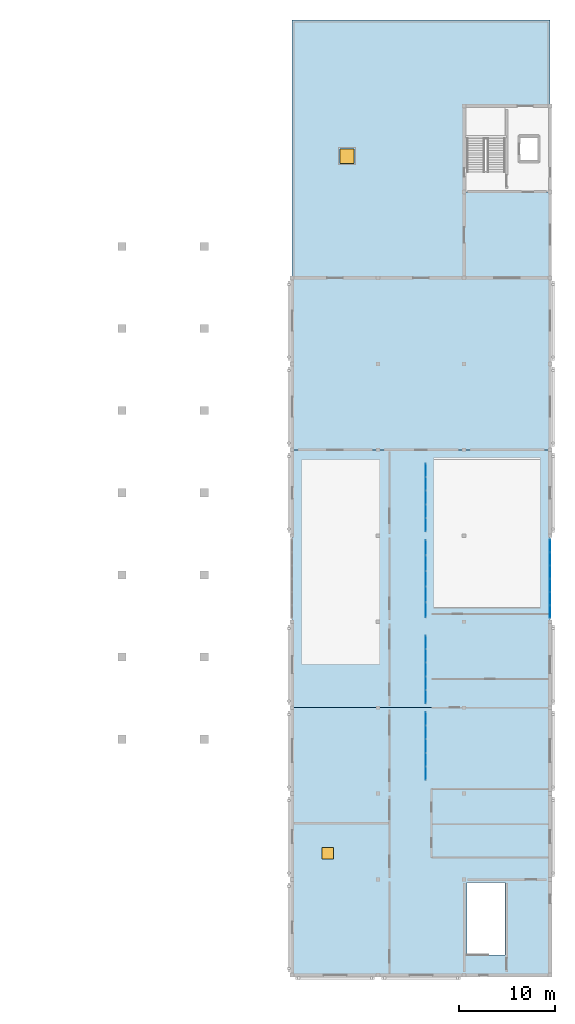
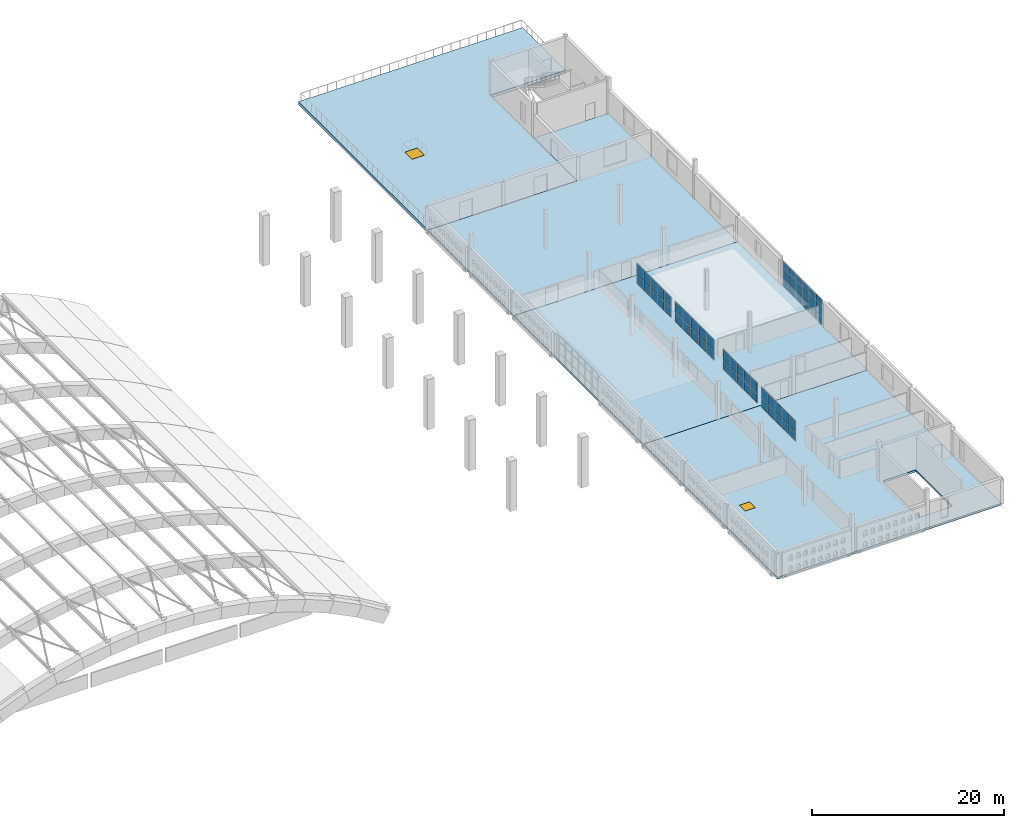
# One storey, part 17 of 30: 58 plates, 4 slabs, 2 windows, 2 openings, 5 elements without a shape of their own.
"""IFC4 building model written with IfcOpenShell, lengths in metres."""

from ifc_helpers import new_model, si_unit, direction, frame, origin, origin_2d, place, context, subcontext, project, spatial, polyline, rectangle, outline, extrude, material, layer, layer_set, type_object, element, fill, aggregate, save


model = new_model("IFC4")

# Units and contexts
model_context = context("Model", 3, precision=1e-05, world=origin(), true_north=direction((0.0, 1.0)))
body_context = subcontext(model_context, "Body", "Model", "MODEL_VIEW")
ifc_project = project(units=[si_unit("LENGTHUNIT", "METRE"), si_unit("AREAUNIT", "SQUARE_METRE"), si_unit("VOLUMEUNIT", "CUBIC_METRE"), si_unit("PLANEANGLEUNIT", "RADIAN"), si_unit("MASSUNIT", "GRAM", prefix="KILO")], contexts=[model_context])

# Site, building, storey
site_placement = place(None, origin())
site = spatial("IfcSite", under=ifc_project, at=site_placement, CompositionType="ELEMENT")
building_placement = place(site_placement, origin())
building = spatial("IfcBuilding", under=site, at=building_placement, Name="Ornek Quay Market", CompositionType="ELEMENT")
storey_placement = place(building_placement, frame((0.0, 0.0, 12.0)))
storey = spatial("IfcBuildingStorey", under=building, at=storey_placement, Name="L03", CompositionType="ELEMENT", Elevation=12.0)

# Curtain wall, plates
ifc_material_1 = material(Name="Anodised bronze aluminium and triple low-e glass", Category="aluminium")
ifc_layer_1 = layer(ifc_material_1, 0.139892578125, Name="Anodised bronze aluminium and triple low-e glass", Category="aluminium")
ifc_layer_set_1 = layer_set([ifc_layer_1], Name="Anodised bronze aluminium and triple low-e glass")
curtain_wall_type_1 = type_object("IfcCurtainWallType", Name="CW-GALLERY-INT", PredefinedType="USERDEFINED", material=ifc_layer_set_1)
curtain_wall_1_placement = place(storey_placement, origin())
curtain_wall_1 = element("IfcCurtainWall", 1, at=curtain_wall_1_placement, inside=storey, type_object=curtain_wall_type_1, Name="Curtain wall CW-171", ObjectType="CURTAIN WALL", PredefinedType="USERDEFINED")
ifc_material_2 = material(Name="Toughened laminated acoustic glass", Category="glass")
ifc_layer_2 = layer(ifc_material_2, 0.01611328125, Name="Toughened laminated acoustic glass", Category="glass")
ifc_layer_set_2 = layer_set([ifc_layer_2], Name="Toughened laminated acoustic glass")
plate_type_1 = type_object("IfcPlateType", Name="PL-CW-INT-16", PredefinedType="CURTAIN_PANEL", material=ifc_layer_set_2)
plate_1_placement = place(storey_placement, frame((167.0, 31.135009765625, 0.06005859375), z_axis=(0.0, 0.0, 1.0), x_axis=(0.0, 1.0, 0.0)))
plate_1 = element("IfcPlate", 2, at=plate_1_placement, type_object=plate_type_1, Name="CW-171 panel 1.1", PredefinedType="CURTAIN_PANEL", context=body_context, shape_type="SweptSolid", body=[
    extrude(rectangle(XDim=1.35009765625, YDim=0.01611328125, at=origin_2d()), origin(), (0.0, 0.0, 1.0), 1.125),
])
plate_2_placement = place(storey_placement, frame((167.0, 31.135009765625, 1.244873046875), z_axis=(0.0, 0.0, 1.0), x_axis=(0.0, 1.0, 0.0)))
plate_2 = element("IfcPlate", 3, at=plate_2_placement, type_object=plate_type_1, Name="CW-171 panel 1.2", PredefinedType="CURTAIN_PANEL", context=body_context, shape_type="SweptSolid", body=[
    extrude(rectangle(XDim=1.35009765625, YDim=0.01611328125, at=origin_2d()), origin(), (0.0, 0.0, 1.0), 1.39501953125),
])
plate_3_placement = place(storey_placement, frame((167.0, 32.56005859375, 0.06005859375), z_axis=(0.0, 0.0, 1.0), x_axis=(0.0, 1.0, 0.0)))
plate_3 = element("IfcPlate", 4, at=plate_3_placement, type_object=plate_type_1, Name="CW-171 panel 2.1", PredefinedType="CURTAIN_PANEL", context=body_context, shape_type="SweptSolid", body=[
    extrude(rectangle(XDim=1.3798828125, YDim=0.01611328125, at=origin_2d()), origin(), (0.0, 0.0, 1.0), 1.125),
])
plate_4_placement = place(storey_placement, frame((167.0, 32.56005859375, 1.244873046875), z_axis=(0.0, 0.0, 1.0), x_axis=(0.0, 1.0, 0.0)))
plate_4 = element("IfcPlate", 5, at=plate_4_placement, type_object=plate_type_1, Name="CW-171 panel 2.2", PredefinedType="CURTAIN_PANEL", context=body_context, shape_type="SweptSolid", body=[
    extrude(rectangle(XDim=1.3798828125, YDim=0.01611328125, at=origin_2d()), origin(), (0.0, 0.0, 1.0), 1.39501953125),
])
plate_5_placement = place(storey_placement, frame((167.0, 34.0, 0.06005859375), z_axis=(0.0, 0.0, 1.0), x_axis=(0.0, 1.0, 0.0)))
plate_5 = element("IfcPlate", 6, at=plate_5_placement, type_object=plate_type_1, Name="CW-171 panel 3.1", PredefinedType="CURTAIN_PANEL", context=body_context, shape_type="SweptSolid", body=[
    extrude(rectangle(XDim=1.3798828125, YDim=0.01611328125, at=origin_2d()), origin(), (0.0, 0.0, 1.0), 1.125),
])
plate_6_placement = place(storey_placement, frame((167.0, 34.0, 1.244873046875), z_axis=(0.0, 0.0, 1.0), x_axis=(0.0, 1.0, 0.0)))
plate_6 = element("IfcPlate", 7, at=plate_6_placement, type_object=plate_type_1, Name="CW-171 panel 3.2", PredefinedType="CURTAIN_PANEL", context=body_context, shape_type="SweptSolid", body=[
    extrude(rectangle(XDim=1.3798828125, YDim=0.01611328125, at=origin_2d()), origin(), (0.0, 0.0, 1.0), 1.39501953125),
])
plate_7_placement = place(storey_placement, frame((167.0, 35.43994140625, 0.06005859375), z_axis=(0.0, 0.0, 1.0), x_axis=(0.0, 1.0, 0.0)))
plate_7 = element("IfcPlate", 8, at=plate_7_placement, type_object=plate_type_1, Name="CW-171 panel 4.1", PredefinedType="CURTAIN_PANEL", context=body_context, shape_type="SweptSolid", body=[
    extrude(rectangle(XDim=1.3798828125, YDim=0.01611328125, at=origin_2d()), origin(), (0.0, 0.0, 1.0), 1.125),
])
plate_8_placement = place(storey_placement, frame((167.0, 35.43994140625, 1.244873046875), z_axis=(0.0, 0.0, 1.0), x_axis=(0.0, 1.0, 0.0)))
plate_8 = element("IfcPlate", 9, at=plate_8_placement, type_object=plate_type_1, Name="CW-171 panel 4.2", PredefinedType="CURTAIN_PANEL", context=body_context, shape_type="SweptSolid", body=[
    extrude(rectangle(XDim=1.3798828125, YDim=0.01611328125, at=origin_2d()), origin(), (0.0, 0.0, 1.0), 1.39501953125),
])
plate_9_placement = place(storey_placement, frame((167.0, 36.864990234375, 0.06005859375), z_axis=(0.0, 0.0, 1.0), x_axis=(0.0, 1.0, 0.0)))
plate_9 = element("IfcPlate", 10, at=plate_9_placement, type_object=plate_type_1, Name="CW-171 panel 5.1", PredefinedType="CURTAIN_PANEL", context=body_context, shape_type="SweptSolid", body=[
    extrude(rectangle(XDim=1.35009765625, YDim=0.01611328125, at=origin_2d()), origin(), (0.0, 0.0, 1.0), 1.125),
])
plate_10_placement = place(storey_placement, frame((167.0, 36.864990234375, 1.244873046875), z_axis=(0.0, 0.0, 1.0), x_axis=(0.0, 1.0, 0.0)))
plate_10 = element("IfcPlate", 11, at=plate_10_placement, type_object=plate_type_1, Name="CW-171 panel 5.2", PredefinedType="CURTAIN_PANEL", context=body_context, shape_type="SweptSolid", body=[
    extrude(rectangle(XDim=1.35009765625, YDim=0.01611328125, at=origin_2d()), origin(), (0.0, 0.0, 1.0), 1.39501953125),
])
aggregate(curtain_wall_1, [plate_1, plate_2, plate_3, plate_4, plate_5, plate_6, plate_7, plate_8, plate_9, plate_10])

curtain_wall_2_placement = place(storey_placement, origin())
curtain_wall_2 = element("IfcCurtainWall", 12, at=curtain_wall_2_placement, inside=storey, type_object=curtain_wall_type_1, Name="Curtain wall CW-172", ObjectType="CURTAIN WALL", PredefinedType="USERDEFINED")
plate_11_placement = place(storey_placement, frame((167.0, 39.135009765625, 0.06005859375), z_axis=(0.0, 0.0, 1.0), x_axis=(0.0, 1.0, 0.0)))
plate_11 = element("IfcPlate", 13, at=plate_11_placement, type_object=plate_type_1, Name="CW-172 panel 1.1", PredefinedType="CURTAIN_PANEL", context=body_context, shape_type="SweptSolid", body=[
    extrude(rectangle(XDim=1.35009765625, YDim=0.01611328125, at=origin_2d()), origin(), (0.0, 0.0, 1.0), 1.125),
])
plate_12_placement = place(storey_placement, frame((167.0, 39.135009765625, 1.244873046875), z_axis=(0.0, 0.0, 1.0), x_axis=(0.0, 1.0, 0.0)))
plate_12 = element("IfcPlate", 14, at=plate_12_placement, type_object=plate_type_1, Name="CW-172 panel 1.2", PredefinedType="CURTAIN_PANEL", context=body_context, shape_type="SweptSolid", body=[
    extrude(rectangle(XDim=1.35009765625, YDim=0.01611328125, at=origin_2d()), origin(), (0.0, 0.0, 1.0), 1.39501953125),
])
plate_13_placement = place(storey_placement, frame((167.0, 40.56005859375, 0.06005859375), z_axis=(0.0, 0.0, 1.0), x_axis=(0.0, 1.0, 0.0)))
plate_13 = element("IfcPlate", 15, at=plate_13_placement, type_object=plate_type_1, Name="CW-172 panel 2.1", PredefinedType="CURTAIN_PANEL", context=body_context, shape_type="SweptSolid", body=[
    extrude(rectangle(XDim=1.3798828125, YDim=0.01611328125, at=origin_2d()), origin(), (0.0, 0.0, 1.0), 1.125),
])
plate_14_placement = place(storey_placement, frame((167.0, 40.56005859375, 1.244873046875), z_axis=(0.0, 0.0, 1.0), x_axis=(0.0, 1.0, 0.0)))
plate_14 = element("IfcPlate", 16, at=plate_14_placement, type_object=plate_type_1, Name="CW-172 panel 2.2", PredefinedType="CURTAIN_PANEL", context=body_context, shape_type="SweptSolid", body=[
    extrude(rectangle(XDim=1.3798828125, YDim=0.01611328125, at=origin_2d()), origin(), (0.0, 0.0, 1.0), 1.39501953125),
])
plate_15_placement = place(storey_placement, frame((167.0, 42.0, 0.06005859375), z_axis=(0.0, 0.0, 1.0), x_axis=(0.0, 1.0, 0.0)))
plate_15 = element("IfcPlate", 17, at=plate_15_placement, type_object=plate_type_1, Name="CW-172 panel 3.1", PredefinedType="CURTAIN_PANEL", context=body_context, shape_type="SweptSolid", body=[
    extrude(rectangle(XDim=1.3798828125, YDim=0.01611328125, at=origin_2d()), origin(), (0.0, 0.0, 1.0), 1.125),
])
plate_16_placement = place(storey_placement, frame((167.0, 42.0, 1.244873046875), z_axis=(0.0, 0.0, 1.0), x_axis=(0.0, 1.0, 0.0)))
plate_16 = element("IfcPlate", 18, at=plate_16_placement, type_object=plate_type_1, Name="CW-172 panel 3.2", PredefinedType="CURTAIN_PANEL", context=body_context, shape_type="SweptSolid", body=[
    extrude(rectangle(XDim=1.3798828125, YDim=0.01611328125, at=origin_2d()), origin(), (0.0, 0.0, 1.0), 1.39501953125),
])
plate_17_placement = place(storey_placement, frame((167.0, 43.43994140625, 0.06005859375), z_axis=(0.0, 0.0, 1.0), x_axis=(0.0, 1.0, 0.0)))
plate_17 = element("IfcPlate", 19, at=plate_17_placement, type_object=plate_type_1, Name="CW-172 panel 4.1", PredefinedType="CURTAIN_PANEL", context=body_context, shape_type="SweptSolid", body=[
    extrude(rectangle(XDim=1.3798828125, YDim=0.01611328125, at=origin_2d()), origin(), (0.0, 0.0, 1.0), 1.125),
])
plate_18_placement = place(storey_placement, frame((167.0, 43.43994140625, 1.244873046875), z_axis=(0.0, 0.0, 1.0), x_axis=(0.0, 1.0, 0.0)))
plate_18 = element("IfcPlate", 20, at=plate_18_placement, type_object=plate_type_1, Name="CW-172 panel 4.2", PredefinedType="CURTAIN_PANEL", context=body_context, shape_type="SweptSolid", body=[
    extrude(rectangle(XDim=1.3798828125, YDim=0.01611328125, at=origin_2d()), origin(), (0.0, 0.0, 1.0), 1.39501953125),
])
plate_19_placement = place(storey_placement, frame((167.0, 44.864990234375, 0.06005859375), z_axis=(0.0, 0.0, 1.0), x_axis=(0.0, 1.0, 0.0)))
plate_19 = element("IfcPlate", 21, at=plate_19_placement, type_object=plate_type_1, Name="CW-172 panel 5.1", PredefinedType="CURTAIN_PANEL", context=body_context, shape_type="SweptSolid", body=[
    extrude(rectangle(XDim=1.35009765625, YDim=0.01611328125, at=origin_2d()), origin(), (0.0, 0.0, 1.0), 1.125),
])
plate_20_placement = place(storey_placement, frame((167.0, 44.864990234375, 1.244873046875), z_axis=(0.0, 0.0, 1.0), x_axis=(0.0, 1.0, 0.0)))
plate_20 = element("IfcPlate", 22, at=plate_20_placement, type_object=plate_type_1, Name="CW-172 panel 5.2", PredefinedType="CURTAIN_PANEL", context=body_context, shape_type="SweptSolid", body=[
    extrude(rectangle(XDim=1.35009765625, YDim=0.01611328125, at=origin_2d()), origin(), (0.0, 0.0, 1.0), 1.39501953125),
])
aggregate(curtain_wall_2, [plate_11, plate_12, plate_13, plate_14, plate_15, plate_16, plate_17, plate_18, plate_19, plate_20])

curtain_wall_3_placement = place(storey_placement, origin())
curtain_wall_3 = element("IfcCurtainWall", 23, at=curtain_wall_3_placement, inside=storey, type_object=curtain_wall_type_1, Name="Curtain wall CW-173", ObjectType="CURTAIN WALL", PredefinedType="USERDEFINED")
plate_21_placement = place(storey_placement, frame((167.0, 48.235107421875, 0.06005859375), z_axis=(0.0, 0.0, 1.0), x_axis=(0.0, 1.0, 0.0)))
plate_21 = element("IfcPlate", 24, at=plate_21_placement, type_object=plate_type_1, Name="CW-173 panel 1.1", PredefinedType="CURTAIN_PANEL", context=body_context, shape_type="SweptSolid", body=[
    extrude(rectangle(XDim=1.550048828125, YDim=0.01611328125, at=origin_2d()), origin(), (0.0, 0.0, 1.0), 1.125),
])
plate_22_placement = place(storey_placement, frame((167.0, 48.235107421875, 1.244873046875), z_axis=(0.0, 0.0, 1.0), x_axis=(0.0, 1.0, 0.0)))
plate_22 = element("IfcPlate", 25, at=plate_22_placement, type_object=plate_type_1, Name="CW-173 panel 1.2", PredefinedType="CURTAIN_PANEL", context=body_context, shape_type="SweptSolid", body=[
    extrude(rectangle(XDim=1.550048828125, YDim=0.01611328125, at=origin_2d()), origin(), (0.0, 0.0, 1.0), 1.39501953125),
])
plate_23_placement = place(storey_placement, frame((167.0, 49.860107421875, 0.06005859375), z_axis=(0.0, 0.0, 1.0), x_axis=(0.0, 1.0, 0.0)))
plate_23 = element("IfcPlate", 26, at=plate_23_placement, type_object=plate_type_1, Name="CW-173 panel 2.1", PredefinedType="CURTAIN_PANEL", context=body_context, shape_type="SweptSolid", body=[
    extrude(rectangle(XDim=1.580078125, YDim=0.01611328125, at=origin_2d()), origin(), (0.0, 0.0, 1.0), 1.125),
])
plate_24_placement = place(storey_placement, frame((167.0, 49.860107421875, 1.244873046875), z_axis=(0.0, 0.0, 1.0), x_axis=(0.0, 1.0, 0.0)))
plate_24 = element("IfcPlate", 27, at=plate_24_placement, type_object=plate_type_1, Name="CW-173 panel 2.2", PredefinedType="CURTAIN_PANEL", context=body_context, shape_type="SweptSolid", body=[
    extrude(rectangle(XDim=1.580078125, YDim=0.01611328125, at=origin_2d()), origin(), (0.0, 0.0, 1.0), 1.39501953125),
])
plate_25_placement = place(storey_placement, frame((167.0, 51.5, 0.06005859375), z_axis=(0.0, 0.0, 1.0), x_axis=(0.0, 1.0, 0.0)))
plate_25 = element("IfcPlate", 28, at=plate_25_placement, type_object=plate_type_1, Name="CW-173 panel 3.1", PredefinedType="CURTAIN_PANEL", context=body_context, shape_type="SweptSolid", body=[
    extrude(rectangle(XDim=1.580078125, YDim=0.01611328125, at=origin_2d()), origin(), (0.0, 0.0, 1.0), 1.125),
])
plate_26_placement = place(storey_placement, frame((167.0, 51.5, 1.244873046875), z_axis=(0.0, 0.0, 1.0), x_axis=(0.0, 1.0, 0.0)))
plate_26 = element("IfcPlate", 29, at=plate_26_placement, type_object=plate_type_1, Name="CW-173 panel 3.2", PredefinedType="CURTAIN_PANEL", context=body_context, shape_type="SweptSolid", body=[
    extrude(rectangle(XDim=1.580078125, YDim=0.01611328125, at=origin_2d()), origin(), (0.0, 0.0, 1.0), 1.39501953125),
])
plate_27_placement = place(storey_placement, frame((167.0, 53.139892578125, 0.06005859375), z_axis=(0.0, 0.0, 1.0), x_axis=(0.0, 1.0, 0.0)))
plate_27 = element("IfcPlate", 30, at=plate_27_placement, type_object=plate_type_1, Name="CW-173 panel 4.1", PredefinedType="CURTAIN_PANEL", context=body_context, shape_type="SweptSolid", body=[
    extrude(rectangle(XDim=1.580078125, YDim=0.01611328125, at=origin_2d()), origin(), (0.0, 0.0, 1.0), 1.125),
])
plate_28_placement = place(storey_placement, frame((167.0, 53.139892578125, 1.244873046875), z_axis=(0.0, 0.0, 1.0), x_axis=(0.0, 1.0, 0.0)))
plate_28 = element("IfcPlate", 31, at=plate_28_placement, type_object=plate_type_1, Name="CW-173 panel 4.2", PredefinedType="CURTAIN_PANEL", context=body_context, shape_type="SweptSolid", body=[
    extrude(rectangle(XDim=1.580078125, YDim=0.01611328125, at=origin_2d()), origin(), (0.0, 0.0, 1.0), 1.39501953125),
])
plate_29_placement = place(storey_placement, frame((167.0, 54.764892578125, 0.06005859375), z_axis=(0.0, 0.0, 1.0), x_axis=(0.0, 1.0, 0.0)))
plate_29 = element("IfcPlate", 32, at=plate_29_placement, type_object=plate_type_1, Name="CW-173 panel 5.1", PredefinedType="CURTAIN_PANEL", context=body_context, shape_type="SweptSolid", body=[
    extrude(rectangle(XDim=1.550048828125, YDim=0.01611328125, at=origin_2d()), origin(), (0.0, 0.0, 1.0), 1.125),
])
plate_30_placement = place(storey_placement, frame((167.0, 54.764892578125, 1.244873046875), z_axis=(0.0, 0.0, 1.0), x_axis=(0.0, 1.0, 0.0)))
plate_30 = element("IfcPlate", 33, at=plate_30_placement, type_object=plate_type_1, Name="CW-173 panel 5.2", PredefinedType="CURTAIN_PANEL", context=body_context, shape_type="SweptSolid", body=[
    extrude(rectangle(XDim=1.550048828125, YDim=0.01611328125, at=origin_2d()), origin(), (0.0, 0.0, 1.0), 1.39501953125),
])
aggregate(curtain_wall_3, [plate_21, plate_22, plate_23, plate_24, plate_25, plate_26, plate_27, plate_28, plate_29, plate_30])

curtain_wall_4_placement = place(storey_placement, origin())
curtain_wall_4 = element("IfcCurtainWall", 34, at=curtain_wall_4_placement, inside=storey, type_object=curtain_wall_type_1, Name="Curtain wall CW-174", ObjectType="CURTAIN WALL", PredefinedType="USERDEFINED")
plate_31_placement = place(storey_placement, frame((167.0, 57.135009765625, 0.06005859375), z_axis=(0.0, 0.0, 1.0), x_axis=(0.0, 1.0, 0.0)))
plate_31 = element("IfcPlate", 35, at=plate_31_placement, type_object=plate_type_1, Name="CW-174 panel 1.1", PredefinedType="CURTAIN_PANEL", context=body_context, shape_type="SweptSolid", body=[
    extrude(rectangle(XDim=1.35009765625, YDim=0.01611328125, at=origin_2d()), origin(), (0.0, 0.0, 1.0), 1.125),
])
plate_32_placement = place(storey_placement, frame((167.0, 57.135009765625, 1.244873046875), z_axis=(0.0, 0.0, 1.0), x_axis=(0.0, 1.0, 0.0)))
plate_32 = element("IfcPlate", 36, at=plate_32_placement, type_object=plate_type_1, Name="CW-174 panel 1.2", PredefinedType="CURTAIN_PANEL", context=body_context, shape_type="SweptSolid", body=[
    extrude(rectangle(XDim=1.35009765625, YDim=0.01611328125, at=origin_2d()), origin(), (0.0, 0.0, 1.0), 1.39501953125),
])
plate_33_placement = place(storey_placement, frame((167.0, 58.56005859375, 0.06005859375), z_axis=(0.0, 0.0, 1.0), x_axis=(0.0, 1.0, 0.0)))
plate_33 = element("IfcPlate", 37, at=plate_33_placement, type_object=plate_type_1, Name="CW-174 panel 2.1", PredefinedType="CURTAIN_PANEL", context=body_context, shape_type="SweptSolid", body=[
    extrude(rectangle(XDim=1.3798828125, YDim=0.01611328125, at=origin_2d()), origin(), (0.0, 0.0, 1.0), 1.125),
])
plate_34_placement = place(storey_placement, frame((167.0, 58.56005859375, 1.244873046875), z_axis=(0.0, 0.0, 1.0), x_axis=(0.0, 1.0, 0.0)))
plate_34 = element("IfcPlate", 38, at=plate_34_placement, type_object=plate_type_1, Name="CW-174 panel 2.2", PredefinedType="CURTAIN_PANEL", context=body_context, shape_type="SweptSolid", body=[
    extrude(rectangle(XDim=1.3798828125, YDim=0.01611328125, at=origin_2d()), origin(), (0.0, 0.0, 1.0), 1.39501953125),
])
plate_35_placement = place(storey_placement, frame((167.0, 60.0, 0.06005859375), z_axis=(0.0, 0.0, 1.0), x_axis=(0.0, 1.0, 0.0)))
plate_35 = element("IfcPlate", 39, at=plate_35_placement, type_object=plate_type_1, Name="CW-174 panel 3.1", PredefinedType="CURTAIN_PANEL", context=body_context, shape_type="SweptSolid", body=[
    extrude(rectangle(XDim=1.3798828125, YDim=0.01611328125, at=origin_2d()), origin(), (0.0, 0.0, 1.0), 1.125),
])
plate_36_placement = place(storey_placement, frame((167.0, 60.0, 1.244873046875), z_axis=(0.0, 0.0, 1.0), x_axis=(0.0, 1.0, 0.0)))
plate_36 = element("IfcPlate", 40, at=plate_36_placement, type_object=plate_type_1, Name="CW-174 panel 3.2", PredefinedType="CURTAIN_PANEL", context=body_context, shape_type="SweptSolid", body=[
    extrude(rectangle(XDim=1.3798828125, YDim=0.01611328125, at=origin_2d()), origin(), (0.0, 0.0, 1.0), 1.39501953125),
])
plate_37_placement = place(storey_placement, frame((167.0, 61.43994140625, 0.06005859375), z_axis=(0.0, 0.0, 1.0), x_axis=(0.0, 1.0, 0.0)))
plate_37 = element("IfcPlate", 41, at=plate_37_placement, type_object=plate_type_1, Name="CW-174 panel 4.1", PredefinedType="CURTAIN_PANEL", context=body_context, shape_type="SweptSolid", body=[
    extrude(rectangle(XDim=1.3798828125, YDim=0.01611328125, at=origin_2d()), origin(), (0.0, 0.0, 1.0), 1.125),
])
plate_38_placement = place(storey_placement, frame((167.0, 61.43994140625, 1.244873046875), z_axis=(0.0, 0.0, 1.0), x_axis=(0.0, 1.0, 0.0)))
plate_38 = element("IfcPlate", 42, at=plate_38_placement, type_object=plate_type_1, Name="CW-174 panel 4.2", PredefinedType="CURTAIN_PANEL", context=body_context, shape_type="SweptSolid", body=[
    extrude(rectangle(XDim=1.3798828125, YDim=0.01611328125, at=origin_2d()), origin(), (0.0, 0.0, 1.0), 1.39501953125),
])
plate_39_placement = place(storey_placement, frame((167.0, 62.864990234375, 0.06005859375), z_axis=(0.0, 0.0, 1.0), x_axis=(0.0, 1.0, 0.0)))
plate_39 = element("IfcPlate", 43, at=plate_39_placement, type_object=plate_type_1, Name="CW-174 panel 5.1", PredefinedType="CURTAIN_PANEL", context=body_context, shape_type="SweptSolid", body=[
    extrude(rectangle(XDim=1.35009765625, YDim=0.01611328125, at=origin_2d()), origin(), (0.0, 0.0, 1.0), 1.125),
])
plate_40_placement = place(storey_placement, frame((167.0, 62.864990234375, 1.244873046875), z_axis=(0.0, 0.0, 1.0), x_axis=(0.0, 1.0, 0.0)))
plate_40 = element("IfcPlate", 44, at=plate_40_placement, type_object=plate_type_1, Name="CW-174 panel 5.2", PredefinedType="CURTAIN_PANEL", context=body_context, shape_type="SweptSolid", body=[
    extrude(rectangle(XDim=1.35009765625, YDim=0.01611328125, at=origin_2d()), origin(), (0.0, 0.0, 1.0), 1.39501953125),
])
aggregate(curtain_wall_4, [plate_31, plate_32, plate_33, plate_34, plate_35, plate_36, plate_37, plate_38, plate_39, plate_40])

ifc_layer_3 = layer(ifc_material_1, 0.18994140625, Name="Anodised bronze aluminium and triple low-e glass", Category="aluminium")
ifc_layer_set_3 = layer_set([ifc_layer_3], Name="Anodised bronze aluminium and triple low-e glass")
curtain_wall_type_2 = type_object("IfcCurtainWallType", Name="CW-FC-MOD1500", PredefinedType="USERDEFINED", material=ifc_layer_set_3)
curtain_wall_5_placement = place(storey_placement, origin())
curtain_wall_5 = element("IfcCurtainWall", 45, at=curtain_wall_5_placement, inside=storey, type_object=curtain_wall_type_2, Name="Curtain wall CW-096", ObjectType="CURTAIN WALL", PredefinedType="USERDEFINED")
ifc_material_3 = material(Name="Triple insulated low-e glass", Category="glass")
ifc_layer_4 = layer(ifc_material_3, 0.035888671875, Name="Triple insulated low-e glass", Category="glass")
ifc_layer_set_4 = layer_set([ifc_layer_4], Name="Triple insulated low-e glass")
plate_type_2 = type_object("IfcPlateType", Name="PL-CW-TRIPLE-36", PredefinedType="CURTAIN_PANEL", material=ifc_layer_set_4)
plate_41_placement = place(storey_placement, frame((180.0, 48.05908203125, 0.06494140625), z_axis=(0.0, 0.0, 1.0), x_axis=(0.0, 1.0, 0.0)))
plate_41 = element("IfcPlate", 46, at=plate_41_placement, type_object=plate_type_2, Name="CW-096 panel 1.1", PredefinedType="CURTAIN_PANEL", context=body_context, shape_type="SweptSolid", body=[
    extrude(rectangle(XDim=1.2783203125, YDim=0.035888671875, at=origin_2d()), origin(), (0.0, 0.0, 1.0), 0.952392578125),
])
plate_42_placement = place(storey_placement, frame((180.0, 48.05908203125, 1.08251953125), z_axis=(0.0, 0.0, 1.0), x_axis=(0.0, 1.0, 0.0)))
plate_42 = element("IfcPlate", 47, at=plate_42_placement, type_object=plate_type_2, Name="CW-096 panel 1.2", PredefinedType="CURTAIN_PANEL", context=body_context, shape_type="SweptSolid", body=[
    extrude(rectangle(XDim=1.2783203125, YDim=0.035888671875, at=origin_2d()), origin(), (0.0, 0.0, 1.0), 1.31494140625),
])
plate_43_placement = place(storey_placement, frame((180.0, 48.05908203125, 2.462646484375), z_axis=(0.0, 0.0, 1.0), x_axis=(0.0, 1.0, 0.0)))
plate_43 = element("IfcPlate", 48, at=plate_43_placement, type_object=plate_type_2, Name="CW-096 panel 1.3", PredefinedType="CURTAIN_PANEL", context=body_context, shape_type="SweptSolid", body=[
    extrude(rectangle(XDim=1.2783203125, YDim=0.035888671875, at=origin_2d()), origin(), (0.0, 0.0, 1.0), 0.75244140625),
])
plate_44_placement = place(storey_placement, frame((180.0, 49.425048828125, 0.06494140625), z_axis=(0.0, 0.0, 1.0), x_axis=(0.0, 1.0, 0.0)))
plate_44 = element("IfcPlate", 49, at=plate_44_placement, type_object=plate_type_2, Name="CW-096 panel 2.1", PredefinedType="CURTAIN_PANEL", context=body_context, shape_type="SweptSolid", body=[
    extrude(rectangle(XDim=1.313232421875, YDim=0.035888671875, at=origin_2d()), origin(), (0.0, 0.0, 1.0), 0.952392578125),
])
plate_45_placement = place(storey_placement, frame((180.0, 49.425048828125, 1.08251953125), z_axis=(0.0, 0.0, 1.0), x_axis=(0.0, 1.0, 0.0)))
plate_45 = element("IfcPlate", 50, at=plate_45_placement, type_object=plate_type_2, Name="CW-096 panel 2.2", PredefinedType="CURTAIN_PANEL", context=body_context, shape_type="SweptSolid", body=[
    extrude(rectangle(XDim=1.313232421875, YDim=0.035888671875, at=origin_2d()), origin(), (0.0, 0.0, 1.0), 1.31494140625),
])
plate_46_placement = place(storey_placement, frame((180.0, 49.425048828125, 2.462646484375), z_axis=(0.0, 0.0, 1.0), x_axis=(0.0, 1.0, 0.0)))
plate_46 = element("IfcPlate", 51, at=plate_46_placement, type_object=plate_type_2, Name="CW-096 panel 2.3", PredefinedType="CURTAIN_PANEL", context=body_context, shape_type="SweptSolid", body=[
    extrude(rectangle(XDim=1.313232421875, YDim=0.035888671875, at=origin_2d()), origin(), (0.0, 0.0, 1.0), 0.75244140625),
])
plate_47_placement = place(storey_placement, frame((180.0, 50.808349609375, 0.06494140625), z_axis=(0.0, 0.0, 1.0), x_axis=(0.0, 1.0, 0.0)))
plate_47 = element("IfcPlate", 52, at=plate_47_placement, type_object=plate_type_2, Name="CW-096 panel 3.1", PredefinedType="CURTAIN_PANEL", context=body_context, shape_type="SweptSolid", body=[
    extrude(rectangle(XDim=1.313232421875, YDim=0.035888671875, at=origin_2d()), origin(), (0.0, 0.0, 1.0), 0.952392578125),
])
plate_48_placement = place(storey_placement, frame((180.0, 50.808349609375, 1.08251953125), z_axis=(0.0, 0.0, 1.0), x_axis=(0.0, 1.0, 0.0)))
plate_48 = element("IfcPlate", 53, at=plate_48_placement, type_object=plate_type_2, Name="CW-096 panel 3.2", PredefinedType="CURTAIN_PANEL", context=body_context, shape_type="SweptSolid", body=[
    extrude(rectangle(XDim=1.313232421875, YDim=0.035888671875, at=origin_2d()), origin(), (0.0, 0.0, 1.0), 1.31494140625),
])
plate_49_placement = place(storey_placement, frame((180.0, 50.808349609375, 2.462646484375), z_axis=(0.0, 0.0, 1.0), x_axis=(0.0, 1.0, 0.0)))
plate_49 = element("IfcPlate", 54, at=plate_49_placement, type_object=plate_type_2, Name="CW-096 panel 3.3", PredefinedType="CURTAIN_PANEL", context=body_context, shape_type="SweptSolid", body=[
    extrude(rectangle(XDim=1.313232421875, YDim=0.035888671875, at=origin_2d()), origin(), (0.0, 0.0, 1.0), 0.75244140625),
])
plate_50_placement = place(storey_placement, frame((180.0, 52.191650390625, 0.06494140625), z_axis=(0.0, 0.0, 1.0), x_axis=(0.0, 1.0, 0.0)))
plate_50 = element("IfcPlate", 55, at=plate_50_placement, type_object=plate_type_2, Name="CW-096 panel 4.1", PredefinedType="CURTAIN_PANEL", context=body_context, shape_type="SweptSolid", body=[
    extrude(rectangle(XDim=1.313232421875, YDim=0.035888671875, at=origin_2d()), origin(), (0.0, 0.0, 1.0), 0.952392578125),
])
plate_51_placement = place(storey_placement, frame((180.0, 52.191650390625, 1.08251953125), z_axis=(0.0, 0.0, 1.0), x_axis=(0.0, 1.0, 0.0)))
plate_51 = element("IfcPlate", 56, at=plate_51_placement, type_object=plate_type_2, Name="CW-096 panel 4.2", PredefinedType="CURTAIN_PANEL", context=body_context, shape_type="SweptSolid", body=[
    extrude(rectangle(XDim=1.313232421875, YDim=0.035888671875, at=origin_2d()), origin(), (0.0, 0.0, 1.0), 1.31494140625),
])
plate_52_placement = place(storey_placement, frame((180.0, 52.191650390625, 2.462646484375), z_axis=(0.0, 0.0, 1.0), x_axis=(0.0, 1.0, 0.0)))
plate_52 = element("IfcPlate", 57, at=plate_52_placement, type_object=plate_type_2, Name="CW-096 panel 4.3", PredefinedType="CURTAIN_PANEL", context=body_context, shape_type="SweptSolid", body=[
    extrude(rectangle(XDim=1.313232421875, YDim=0.035888671875, at=origin_2d()), origin(), (0.0, 0.0, 1.0), 0.75244140625),
])
plate_53_placement = place(storey_placement, frame((180.0, 53.574951171875, 0.06494140625), z_axis=(0.0, 0.0, 1.0), x_axis=(0.0, 1.0, 0.0)))
plate_53 = element("IfcPlate", 58, at=plate_53_placement, type_object=plate_type_2, Name="CW-096 panel 5.1", PredefinedType="CURTAIN_PANEL", context=body_context, shape_type="SweptSolid", body=[
    extrude(rectangle(XDim=1.313232421875, YDim=0.035888671875, at=origin_2d()), origin(), (0.0, 0.0, 1.0), 0.952392578125),
])
plate_54_placement = place(storey_placement, frame((180.0, 53.574951171875, 1.08251953125), z_axis=(0.0, 0.0, 1.0), x_axis=(0.0, 1.0, 0.0)))
plate_54 = element("IfcPlate", 59, at=plate_54_placement, type_object=plate_type_2, Name="CW-096 panel 5.2", PredefinedType="CURTAIN_PANEL", context=body_context, shape_type="SweptSolid", body=[
    extrude(rectangle(XDim=1.313232421875, YDim=0.035888671875, at=origin_2d()), origin(), (0.0, 0.0, 1.0), 1.31494140625),
])
plate_55_placement = place(storey_placement, frame((180.0, 53.574951171875, 2.462646484375), z_axis=(0.0, 0.0, 1.0), x_axis=(0.0, 1.0, 0.0)))
plate_55 = element("IfcPlate", 60, at=plate_55_placement, type_object=plate_type_2, Name="CW-096 panel 5.3", PredefinedType="CURTAIN_PANEL", context=body_context, shape_type="SweptSolid", body=[
    extrude(rectangle(XDim=1.313232421875, YDim=0.035888671875, at=origin_2d()), origin(), (0.0, 0.0, 1.0), 0.75244140625),
])
plate_56_placement = place(storey_placement, frame((180.0, 54.94091796875, 0.06494140625), z_axis=(0.0, 0.0, 1.0), x_axis=(0.0, 1.0, 0.0)))
plate_56 = element("IfcPlate", 61, at=plate_56_placement, type_object=plate_type_2, Name="CW-096 panel 6.1", PredefinedType="CURTAIN_PANEL", context=body_context, shape_type="SweptSolid", body=[
    extrude(rectangle(XDim=1.2783203125, YDim=0.035888671875, at=origin_2d()), origin(), (0.0, 0.0, 1.0), 0.952392578125),
])
plate_57_placement = place(storey_placement, frame((180.0, 54.94091796875, 1.08251953125), z_axis=(0.0, 0.0, 1.0), x_axis=(0.0, 1.0, 0.0)))
plate_57 = element("IfcPlate", 62, at=plate_57_placement, type_object=plate_type_2, Name="CW-096 panel 6.2", PredefinedType="CURTAIN_PANEL", context=body_context, shape_type="SweptSolid", body=[
    extrude(rectangle(XDim=1.2783203125, YDim=0.035888671875, at=origin_2d()), origin(), (0.0, 0.0, 1.0), 1.31494140625),
])
plate_58_placement = place(storey_placement, frame((180.0, 54.94091796875, 2.462646484375), z_axis=(0.0, 0.0, 1.0), x_axis=(0.0, 1.0, 0.0)))
plate_58 = element("IfcPlate", 63, at=plate_58_placement, type_object=plate_type_2, Name="CW-096 panel 6.3", PredefinedType="CURTAIN_PANEL", context=body_context, shape_type="SweptSolid", body=[
    extrude(rectangle(XDim=1.2783203125, YDim=0.035888671875, at=origin_2d()), origin(), (0.0, 0.0, 1.0), 0.75244140625),
])
aggregate(curtain_wall_5, [plate_41, plate_42, plate_43, plate_44, plate_45, plate_46, plate_47, plate_48, plate_49, plate_50, plate_51, plate_52, plate_53, plate_54, plate_55, plate_56, plate_57, plate_58])

# Slab, opening, window
ifc_material_4 = material(Name="Concrete C35/45", Category="concrete")
ifc_layer_5 = layer(ifc_material_4, 0.25, Name="Concrete C35/45", Category="concrete")
ifc_layer_set_5 = layer_set([ifc_layer_5], Name="Concrete C35/45")
slab_type_1 = type_object("IfcSlabType", Name="SL-FLR-CS-250", PredefinedType="FLOOR", material=ifc_layer_set_5)
slab_1_placement = place(storey_placement, frame((0.0, 0.0, -0.25)))
slab_1 = element("IfcSlab", 64, at=slab_1_placement, inside=storey, type_object=slab_type_1, Name="Slab S-066 (L03)", PredefinedType="FLOOR", context=body_context, shape_type="SweptSolid", body=[
    extrude(outline(polyline([(153.0, 10.0), (180.0, 10.0), (180.0, 38.0), (153.0, 38.0), (153.0, 10.0)]), holes=[polyline([(171.300048828125, 19.699951171875), (175.300048828125, 19.699951171875), (175.300048828125, 12.10009765625), (171.300048828125, 12.10009765625), (171.300048828125, 19.699951171875)]), polyline([(156.14990234375, 22.14990234375), (157.35009765625, 22.14990234375), (157.35009765625, 23.35009765625), (156.14990234375, 23.35009765625), (156.14990234375, 22.14990234375)])]), origin(), (0.0, 0.0, 1.0), 0.25),
])
opening_1_placement = place(slab_1_placement, frame((156.75, 22.75, -0.010009765625)))
opening_1 = element("IfcOpeningElement", 65, at=opening_1_placement, cuts=slab_1, Name="Opening LDM-02-17", PredefinedType="OPENING", context=body_context, shape_type="SweptSolid", body=[
    extrude(rectangle(XDim=1.199951171875, YDim=1.199951171875, at=origin_2d()), origin(), (0.0, 0.0, 1.0), 0.27001953125),
])
ifc_material_5 = material(Name="Thermally broken bronze aluminium and triple low-e glass", Category="aluminium")
window_type_1 = type_object("IfcWindowType", Name="WN-DOME-1200x1200", PartitioningType="SINGLE_PANEL", PredefinedType="LIGHTDOME", material=ifc_material_5)
window_1_placement = place(opening_1_placement, frame((0.0, 0.0, 0.2099609375)))
window_1 = element("IfcWindow", 66, at=window_1_placement, inside=storey, type_object=window_type_1, Name="Roof skylight LDM-02-17", OverallHeight=1.199951171875, OverallWidth=1.199951171875, PartitioningType="SINGLE_PANEL", PredefinedType="LIGHTDOME", context=body_context, shape_type="SweptSolid", body=[
    extrude(rectangle(XDim=1.199951171875, YDim=1.199951171875, at=origin_2d()), origin(), (0.0, 0.0, 1.0), 0.050048828125),
])
fill(opening_1, window_1)

# Slabs
slab_2_placement = place(storey_placement, frame((0.0, 0.0, -0.25)))
element("IfcSlab", 67, at=slab_2_placement, inside=storey, type_object=slab_type_1, Name="Slab S-067 (L03)", PredefinedType="FLOOR", context=body_context, shape_type="SweptSolid", body=[
    extrude(outline(polyline([(153.0, 38.0), (180.0, 38.0), (180.0, 65.0), (153.0, 65.0), (153.0, 38.0)])), origin(), (0.0, 0.0, 1.0), 0.25),
])
ifc_layer_6 = layer(ifc_material_4, 0.27001953125, Name="Concrete C35/45", Category="concrete")
ifc_layer_set_6 = layer_set([ifc_layer_6], Name="Concrete C35/45")
slab_type_2 = type_object("IfcSlabType", Name="SL-FLR-FC-270", PredefinedType="FLOOR", material=ifc_layer_set_6)
slab_3_placement = place(storey_placement, frame((0.0, 0.0, -0.27001953125)))
element("IfcSlab", 68, at=slab_3_placement, inside=storey, type_object=slab_type_2, Name="Slab S-064 (L03)", PredefinedType="FLOOR", context=body_context, shape_type="SweptSolid", body=[
    extrude(outline(polyline([(153.0, 65.0), (180.0, 65.0), (180.0, 92.0), (171.0, 92.0), (171.0, 83.0), (153.0, 83.0), (153.0, 65.0)])), origin(), (0.0, 0.0, 1.0), 0.27001953125),
])

# Slab, opening, window
ifc_material_6 = material(Name="Concrete C40/50", Category="concrete")
ifc_layer_7 = layer(ifc_material_6, 0.39990234375, Name="Concrete C40/50", Category="concrete")
ifc_layer_set_7 = layer_set([ifc_layer_7], Name="Concrete C40/50")
slab_type_3 = type_object("IfcSlabType", Name="SL-GRD-EAST-400", PredefinedType="ROOF", material=ifc_layer_set_7)
slab_4_placement = place(storey_placement, frame((0.0, 0.0, -0.39990234375)))
slab_4 = element("IfcSlab", 69, at=slab_4_placement, inside=storey, type_object=slab_type_3, Name="Slab S-063 (L03)", PredefinedType="ROOF", context=body_context, shape_type="SweptSolid", body=[
    extrude(outline(polyline([(153.0, 83.0), (171.0, 83.0), (171.0, 101.0), (180.0, 101.0), (180.0, 110.0), (153.0, 110.0), (153.0, 83.0)]), holes=[polyline([(158.0, 96.5), (159.5, 96.5), (159.5, 95.0), (158.0, 95.0), (158.0, 96.5)])]), origin(), (0.0, 0.0, 1.0), 0.39990234375),
])
opening_2_placement = place(slab_4_placement, frame((158.75, 95.75, -0.010009765625)))
opening_2 = element("IfcOpeningElement", 70, at=opening_2_placement, cuts=slab_4, Name="Opening LDM-01-16", PredefinedType="OPENING", context=body_context, shape_type="SweptSolid", body=[
    extrude(rectangle(XDim=1.5, YDim=1.5, at=origin_2d()), origin(), (0.0, 0.0, 1.0), 0.419921875),
])
window_type_2 = type_object("IfcWindowType", Name="WN-DOME-1500x1500", PartitioningType="SINGLE_PANEL", PredefinedType="LIGHTDOME", material=ifc_material_5)
window_2_placement = place(opening_2_placement, frame((0.0, 0.0, 0.35986328125)))
window_2 = element("IfcWindow", 71, at=window_2_placement, inside=storey, type_object=window_type_2, Name="Roof skylight LDM-01-16", OverallHeight=1.5, OverallWidth=1.5, PartitioningType="SINGLE_PANEL", PredefinedType="LIGHTDOME", context=body_context, shape_type="SweptSolid", body=[
    extrude(rectangle(XDim=1.5, YDim=1.5, at=origin_2d()), origin(), (0.0, 0.0, 1.0), 0.050048828125),
])
fill(opening_2, window_2)

save(model, "model.ifc")
